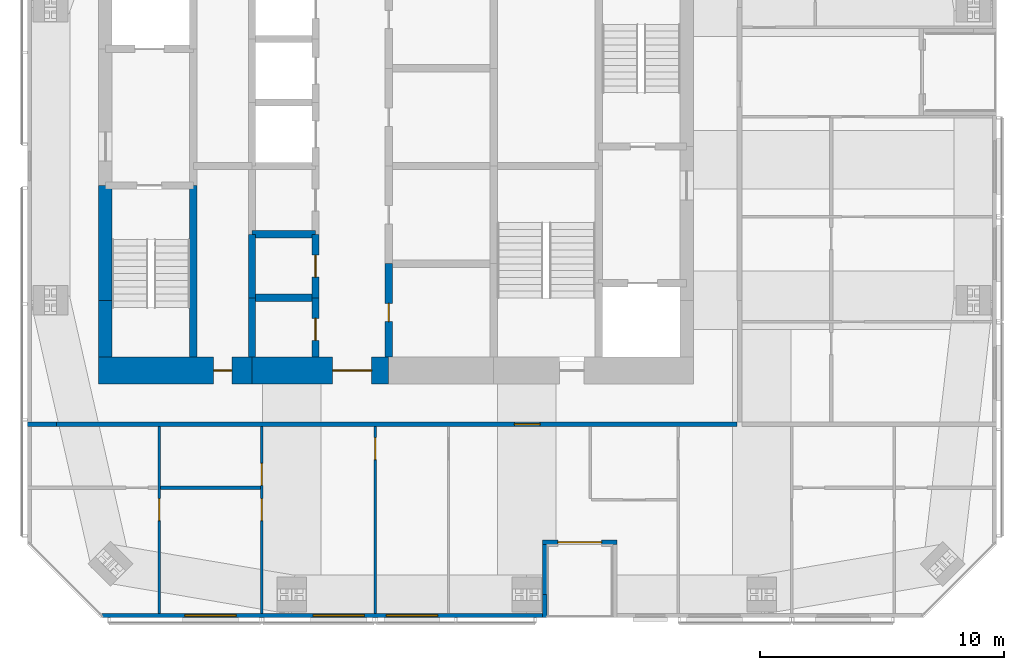
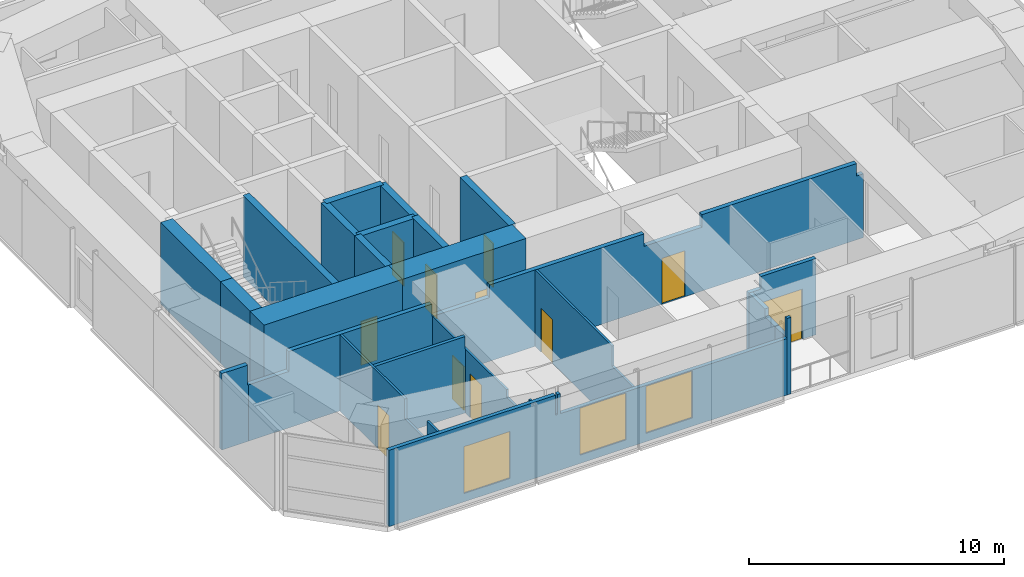
# One storey, part 14 of 20: 22 walls, 11 doors, 3 windows, 14 openings.
"""IFC4 building model written with IfcOpenShell, lengths in metres."""

from ifc_helpers import new_model, si_unit, direction, frame, frame_2d, origin, place, context, subcontext, project, spatial, polyline, rectangle, outline, extrude, material, layer, layer_set, constituent, constituent_set, type_object, element, fill, save


model = new_model("IFC4")

# Units and contexts
model_context = context("Model", 3, precision=1e-05, world=origin(), true_north=direction((0.0, 1.0)))
body_context = subcontext(model_context, "Body", "Model", "MODEL_VIEW")
ifc_project = project(units=[si_unit("LENGTHUNIT", "METRE"), si_unit("AREAUNIT", "SQUARE_METRE"), si_unit("VOLUMEUNIT", "CUBIC_METRE"), si_unit("PLANEANGLEUNIT", "RADIAN"), si_unit("MASSUNIT", "GRAM", prefix="KILO")], contexts=[model_context])

# Site, building, storey
site_placement = place(None, origin())
site = spatial("IfcSite", under=ifc_project, at=site_placement, CompositionType="ELEMENT")
building_placement = place(site_placement, origin())
building = spatial("IfcBuilding", under=site, at=building_placement, Name="Jalousie Tower", CompositionType="ELEMENT")
storey_placement = place(building_placement, frame((0.0, 0.0, 259.949951171875)))
storey = spatial("IfcBuildingStorey", under=building, at=storey_placement, Name="L71", CompositionType="ELEMENT", Elevation=259.949951171875)

# Wall
ifc_material_1 = material(Name="Concrete block ASTM C90", Category="concrete")
ifc_constituent_1 = constituent(ifc_material_1, Name="Body")
ifc_material_2 = material(Name="Render")
ifc_constituent_2 = constituent(ifc_material_2, Name="Finish")
ifc_constituent_set_1 = constituent_set(constituents=[ifc_constituent_1, ifc_constituent_2])
wall_type_1 = type_object("IfcWallType", Name="BATHROOM WALL 150", PredefinedType="PLUMBINGWALL", material=ifc_constituent_set_1)
wall_1_placement = place(storey_placement, frame((22.25, 5.324951171875, 0.0), z_axis=(0.0, 0.0, 1.0), x_axis=(1.0, 0.0, 0.0)))
element("IfcWall", 1, at=wall_1_placement, inside=storey, type_object=wall_type_1, Name="Bathroom Wall 150 L71", PredefinedType="PLUMBINGWALL", context=body_context, shape_type="SweptSolid", body=[
    extrude(outline(polyline([(0.0, 0.0), (4.10009765625, 0.0), (4.10009765625, 3.66015625), (4.10009765625, 3.06005859375), (4.090087890625, 3.06005859375), (4.090087890625, 3.66015625), (0.0, 3.66015625), (0.0, 0.0)])), frame((0.0, 0.074951171875, 0.0), z_axis=(0.0, -1.0, 0.0), x_axis=(1.0, 0.0, 0.0)), (0.0, 0.0, 1.0), 0.14990234375),
])

# Wall, opening, door
ifc_material_3 = material(Name="Concrete f'c 120 MPa", Category="concrete")
ifc_layer_1 = layer(ifc_material_3, 1.10009765625)
ifc_layer_set_1 = layer_set([ifc_layer_1], Name="Concrete f'c 120 MPa")
wall_type_2 = type_object("IfcWallType", Name="CORE WALL 1100", PredefinedType="SHEAR", material=ifc_layer_set_1)
wall_2_placement = place(storey_placement, frame((19.72509765625, 10.125, 0.0), z_axis=(0.0, 0.0, 1.0), x_axis=(1.0, 0.0, 0.0)))
wall_2 = element("IfcWall", 2, at=wall_2_placement, inside=storey, type_object=wall_type_2, Name="Core wall SA L71", PredefinedType="SHEAR", context=body_context, shape_type="SweptSolid", body=[
    extrude(rectangle(XDim=6.27490234375, YDim=1.10009765625, at=frame_2d((3.137451171875, 0.0))), origin(), (0.0, 0.0, 1.0), 3.900146484375),
])
opening_1_placement = place(wall_2_placement, frame((4.699951171875, 0.0, 0.0)))
opening_1 = element("IfcOpeningElement", 3, at=opening_1_placement, cuts=wall_2, Name="Opening D16", PredefinedType="OPENING", context=body_context, shape_type="SweptSolid", body=[
    extrude(rectangle(XDim=0.75, YDim=2.10009765625, at=frame_2d((0.375, 1.050048828125))), frame((0.0, 0.56005859375, 0.0), z_axis=(0.0, -1.0, 0.0), x_axis=(1.0, 0.0, 0.0)), (0.0, 0.0, 1.0), 1.1201171875),
])
ifc_material_4 = material(Name="Steel fire door", Category="steel")
door_type_1 = type_object("IfcDoorType", Name="RISER DOOR 750", OperationType="SINGLE_SWING_LEFT", PredefinedType="DOOR", material=ifc_material_4)
door_1_placement = place(opening_1_placement, origin())
door_1 = element("IfcDoor", 4, at=door_1_placement, inside=storey, type_object=door_type_1, Name="South riser door", OperationType="SINGLE_SWING_RIGHT", OverallHeight=2.10009765625, OverallWidth=0.75, PredefinedType="DOOR", context=body_context, shape_type="SweptSolid", body=[
    extrude(rectangle(XDim=0.75, YDim=2.10009765625, at=frame_2d((0.375, 1.050048828125))), frame((0.0, 0.02490234375, 0.0), z_axis=(0.0, -1.0, 0.0), x_axis=(1.0, 0.0, 0.0)), (0.0, 0.0, 1.0), 0.050048828125),
])
fill(opening_1, door_1)

wall_3_placement = place(storey_placement, frame((26.0, 10.125, 0.0), z_axis=(0.0, 0.0, 1.0), x_axis=(1.0, 0.0, 0.0)))
wall_3 = element("IfcWall", 5, at=wall_3_placement, inside=storey, type_object=wall_type_2, Name="Core wall SB L71", PredefinedType="SHEAR", context=body_context, shape_type="SweptSolid", body=[
    extrude(rectangle(XDim=5.60009765625, YDim=1.10009765625, at=frame_2d((2.800048828125, 0.0))), origin(), (0.0, 0.0, 1.0), 3.900146484375),
])
opening_2_placement = place(wall_3_placement, frame((3.300048828125, 0.0, 0.0)))
opening_2 = element("IfcOpeningElement", 6, at=opening_2_placement, cuts=wall_3, Name="Opening D15", PredefinedType="OPENING", context=body_context, shape_type="SweptSolid", body=[
    extrude(rectangle(XDim=1.60009765625, YDim=2.10009765625, at=frame_2d((0.800048828125, 1.050048828125))), frame((0.0, 0.56005859375, 0.0), z_axis=(0.0, -1.0, 0.0), x_axis=(1.0, 0.0, 0.0)), (0.0, 0.0, 1.0), 1.1201171875),
])
ifc_material_5 = material(Name="Steel fire door", Category="steel")
door_type_2 = type_object("IfcDoorType", Name="LIFT LOBBY DOOR 1600", OperationType="DOUBLE_DOOR_SINGLE_SWING", PredefinedType="DOOR", material=ifc_material_5)
door_2_placement = place(opening_2_placement, origin())
door_2 = element("IfcDoor", 7, at=door_2_placement, inside=storey, type_object=door_type_2, Name="Lift lobby south door", OperationType="DOUBLE_DOOR_SINGLE_SWING", OverallHeight=2.10009765625, OverallWidth=1.60009765625, PredefinedType="DOOR", context=body_context, shape_type="SweptSolid", body=[
    extrude(rectangle(XDim=1.60009765625, YDim=2.10009765625, at=frame_2d((0.800048828125, 1.050048828125))), frame((0.0, 0.02490234375, 0.0), z_axis=(0.0, -1.0, 0.0), x_axis=(1.0, 0.0, 0.0)), (0.0, 0.0, 1.0), 0.050048828125),
])
fill(opening_2, door_2)

# Walls
ifc_material_6 = material(Name="Concrete f'c 120 MPa", Category="concrete")
ifc_layer_2 = layer(ifc_material_6, 0.300048828125)
ifc_layer_set_2 = layer_set([ifc_layer_2], Name="Concrete f'c 120 MPa")
wall_type_3 = type_object("IfcWallType", Name="CORE WALL 300", PredefinedType="SHEAR", material=ifc_layer_set_2)
wall_4_placement = place(storey_placement, frame((23.60009765625, 10.675048828125, 0.0), z_axis=(0.0, 0.0, 1.0), x_axis=(0.0, 1.0, 0.0)))
element("IfcWall", 8, at=wall_4_placement, inside=storey, type_object=wall_type_3, Name="Core wall X23.6A L71", PredefinedType="SHEAR", context=body_context, shape_type="SweptSolid", body=[
    extrude(rectangle(XDim=7.02490234375, YDim=0.300048828125, at=frame_2d((3.512451171875, 0.0))), origin(), (0.0, 0.0, 1.0), 3.900146484375),
])
wall_5_placement = place(storey_placement, frame((26.0, 10.675048828125, 0.0), z_axis=(0.0, 0.0, 1.0), x_axis=(0.0, 1.0, 0.0)))
element("IfcWall", 9, at=wall_5_placement, inside=storey, type_object=wall_type_3, Name="Core wall X26A L71", PredefinedType="SHEAR", context=body_context, shape_type="SweptSolid", body=[
    extrude(rectangle(XDim=2.425048828125, YDim=0.300048828125, at=frame_2d((1.21240234375, 0.0))), origin(), (0.0, 0.0, 1.0), 3.900146484375),
])
wall_6_placement = place(storey_placement, frame((26.0, 13.10009765625, 0.0), z_axis=(0.0, 0.0, 1.0), x_axis=(0.0, 1.0, 0.0)))
element("IfcWall", 10, at=wall_6_placement, inside=storey, type_object=wall_type_3, Name="Core wall X26B L71", PredefinedType="SHEAR", context=body_context, shape_type="SweptSolid", body=[
    extrude(rectangle(XDim=2.599853515625, YDim=0.300048828125, at=frame_2d((1.2998046875, 0.0))), origin(), (0.0, 0.0, 1.0), 3.900146484375),
])

# Wall, opening, door
wall_7_placement = place(storey_placement, frame((28.60009765625, 10.675048828125, 0.0), z_axis=(0.0, 0.0, 1.0), x_axis=(0.0, 1.0, 0.0)))
wall_7 = element("IfcWall", 11, at=wall_7_placement, inside=storey, type_object=wall_type_3, Name="Core wall X28.6A L71", PredefinedType="SHEAR", context=body_context, shape_type="SweptSolid", body=[
    extrude(rectangle(XDim=2.425048828125, YDim=0.300048828125, at=frame_2d((1.21240234375, 0.0))), origin(), (0.0, 0.0, 1.0), 3.900146484375),
])
opening_3_placement = place(wall_7_placement, frame((0.6875, 0.0, 0.0)))
opening_3 = element("IfcOpeningElement", 12, at=opening_3_placement, cuts=wall_7, Name="Opening D24", PredefinedType="OPENING", context=body_context, shape_type="SweptSolid", body=[
    extrude(rectangle(XDim=0.89990234375, YDim=2.10009765625, at=frame_2d((0.449951171875, 1.050048828125))), frame((0.0, 0.159912109375, 0.0), z_axis=(0.0, -1.0, 0.0), x_axis=(1.0, 0.0, 0.0)), (0.0, 0.0, 1.0), 0.320068359375),
])
ifc_material_7 = material(Name="Steel fire door", Category="steel")
door_type_3 = type_object("IfcDoorType", Name="CORE ROOM DOOR 900", OperationType="SINGLE_SWING_LEFT", PredefinedType="DOOR", material=ifc_material_7)
door_3_placement = place(opening_3_placement, origin())
door_3 = element("IfcDoor", 13, at=door_3_placement, inside=storey, type_object=door_type_3, Name="Staff WC door", OperationType="SINGLE_SWING_RIGHT", OverallHeight=2.10009765625, OverallWidth=0.89990234375, PredefinedType="DOOR", context=body_context, shape_type="SweptSolid", body=[
    extrude(rectangle(XDim=0.89990234375, YDim=2.10009765625, at=frame_2d((0.449951171875, 1.050048828125))), frame((0.0, 0.02490234375, 0.0), z_axis=(0.0, -1.0, 0.0), x_axis=(1.0, 0.0, 0.0)), (0.0, 0.0, 1.0), 0.050048828125),
])
fill(opening_3, door_3)

wall_8_placement = place(storey_placement, frame((28.60009765625, 13.10009765625, 0.0), z_axis=(0.0, 0.0, 1.0), x_axis=(0.0, 1.0, 0.0)))
wall_8 = element("IfcWall", 14, at=wall_8_placement, inside=storey, type_object=wall_type_3, Name="Core wall X28.6B L71", PredefinedType="SHEAR", context=body_context, shape_type="SweptSolid", body=[
    extrude(rectangle(XDim=2.599853515625, YDim=0.300048828125, at=frame_2d((1.2998046875, 0.0))), origin(), (0.0, 0.0, 1.0), 3.900146484375),
])
opening_4_placement = place(wall_8_placement, frame((0.85009765625, 0.0, 0.0)))
opening_4 = element("IfcOpeningElement", 15, at=opening_4_placement, cuts=wall_8, Name="Opening D24", PredefinedType="OPENING", context=body_context, shape_type="SweptSolid", body=[
    extrude(rectangle(XDim=0.89990234375, YDim=2.10009765625, at=frame_2d((0.449951171875, 1.050048828125))), frame((0.0, 0.159912109375, 0.0), z_axis=(0.0, -1.0, 0.0), x_axis=(1.0, 0.0, 0.0)), (0.0, 0.0, 1.0), 0.320068359375),
])
door_4_placement = place(opening_4_placement, origin())
door_4 = element("IfcDoor", 16, at=door_4_placement, inside=storey, type_object=door_type_3, Name="IT room door", OperationType="SINGLE_SWING_RIGHT", OverallHeight=2.10009765625, OverallWidth=0.89990234375, PredefinedType="DOOR", context=body_context, shape_type="SweptSolid", body=[
    extrude(rectangle(XDim=0.89990234375, YDim=2.10009765625, at=frame_2d((0.449951171875, 1.050048828125))), frame((0.0, 0.02490234375, 0.0), z_axis=(0.0, -1.0, 0.0), x_axis=(1.0, 0.0, 0.0)), (0.0, 0.0, 1.0), 0.050048828125),
])
fill(opening_4, door_4)

wall_9_placement = place(storey_placement, frame((31.60009765625, 10.675048828125, 0.0), z_axis=(0.0, 0.0, 1.0), x_axis=(0.0, 1.0, 0.0)))
wall_9 = element("IfcWall", 17, at=wall_9_placement, inside=storey, type_object=wall_type_3, Name="Core wall X31.6A L71", PredefinedType="SHEAR", context=body_context, shape_type="SweptSolid", body=[
    extrude(rectangle(XDim=3.824951171875, YDim=0.300048828125, at=frame_2d((1.91259765625, 0.0))), origin(), (0.0, 0.0, 1.0), 3.900146484375),
])
opening_5_placement = place(wall_9_placement, frame((1.449951171875, 0.0, 0.0)))
opening_5 = element("IfcOpeningElement", 18, at=opening_5_placement, cuts=wall_9, Name="Opening D16", PredefinedType="OPENING", context=body_context, shape_type="SweptSolid", body=[
    extrude(rectangle(XDim=0.75, YDim=2.10009765625, at=frame_2d((0.375, 1.050048828125))), frame((0.0, 0.159912109375, 0.0), z_axis=(0.0, -1.0, 0.0), x_axis=(1.0, 0.0, 0.0)), (0.0, 0.0, 1.0), 0.320068359375),
])
door_5_placement = place(opening_5_placement, frame((0.75, 0.0, 0.0), z_axis=(0.0, 0.0, 1.0), x_axis=(-1.0, 0.0, 0.0)))
door_5 = element("IfcDoor", 19, at=door_5_placement, inside=storey, type_object=door_type_1, Name="Refuse Room door", OperationType="SINGLE_SWING_RIGHT", OverallHeight=2.10009765625, OverallWidth=0.75, PredefinedType="DOOR", context=body_context, shape_type="SweptSolid", body=[
    extrude(rectangle(XDim=0.75, YDim=2.10009765625, at=frame_2d((0.375, 1.050048828125))), frame((0.0, 0.02490234375, 0.0), z_axis=(0.0, -1.0, 0.0), x_axis=(1.0, 0.0, 0.0)), (0.0, 0.0, 1.0), 0.050048828125),
])
fill(opening_5, door_5)

# Walls
for number, where, z_axis, x_axis, name in (
    (20, (26.0, 13.10009765625, 0.0), (0.0, 0.0, 1.0), (1.0, 0.0, 0.0), "Core wall Y26-13.1 L71"),
    (21, (26.0, 15.699951171875, 0.0), (0.0, 0.0, 1.0), (1.0, 0.0, 0.0), "Core wall Y26-15.7 L71"),
):
    element("IfcWall", number, at=place(storey_placement, frame(where, z_axis=z_axis, x_axis=x_axis)), inside=storey, type_object=wall_type_3, Name=name, PredefinedType="SHEAR", context=body_context, shape_type="SweptSolid", body=[
        extrude(rectangle(XDim=2.60009765625, YDim=0.300048828125, at=frame_2d((1.300048828125, 0.0))), origin(), (0.0, 0.0, 1.0), 3.900146484375),
    ])
ifc_material_8 = material(Name="Concrete f'c 120 MPa", Category="concrete")
ifc_layer_3 = layer(ifc_material_8, 0.550048828125)
ifc_layer_set_3 = layer_set([ifc_layer_3], Name="Concrete f'c 120 MPa")
wall_type_4 = type_object("IfcWallType", Name="CORE WALL 550", PredefinedType="SHEAR", material=ifc_layer_set_3)
wall_10_placement = place(storey_placement, frame((20.0, 17.699951171875, 0.0), z_axis=(0.0, 0.0, 1.0), x_axis=(0.0, -1.0, 0.0)))
element("IfcWall", 22, at=wall_10_placement, inside=storey, type_object=wall_type_4, Name="Core wall WC L71", PredefinedType="SHEAR", context=body_context, shape_type="SweptSolid", body=[
    extrude(rectangle(XDim=4.699951171875, YDim=0.550048828125, at=frame_2d((2.35009765625, 0.0))), origin(), (0.0, 0.0, 1.0), 3.900146484375),
])
wall_11_placement = place(storey_placement, frame((20.0, 13.0, 0.0), z_axis=(0.0, 0.0, 1.0), x_axis=(0.0, -1.0, 0.0)))
element("IfcWall", 23, at=wall_11_placement, inside=storey, type_object=wall_type_4, Name="Core wall WD L71", PredefinedType="SHEAR", context=body_context, shape_type="SweptSolid", body=[
    extrude(rectangle(XDim=2.324951171875, YDim=0.550048828125, at=frame_2d((1.16259765625, 0.0))), origin(), (0.0, 0.0, 1.0), 3.900146484375),
])

# Wall, opening, door
ifc_material_9 = material(Name="Concrete block ASTM C90", Category="concrete")
ifc_constituent_3 = constituent(ifc_material_9, Name="Body")
ifc_material_10 = material(Name="Render")
ifc_constituent_4 = constituent(ifc_material_10, Name="Finish")
ifc_constituent_set_2 = constituent_set(constituents=[ifc_constituent_3, ifc_constituent_4])
wall_type_5 = type_object("IfcWallType", Name="CORRIDOR WALL 200", PredefinedType="PARTITIONING", material=ifc_constituent_set_2)
wall_12_placement = place(storey_placement, frame((18.0, 7.925048828125, 0.0), z_axis=(0.0, 0.0, 1.0), x_axis=(1.0, 0.0, 0.0)))
wall_12 = element("IfcWall", 24, at=wall_12_placement, inside=storey, type_object=wall_type_5, Name="Corridor Wall 200 L71", PredefinedType="PARTITIONING", context=body_context, shape_type="SweptSolid", body=[
    extrude(outline(polyline([(0.0, 0.0), (27.875, 0.0), (27.875, 3.66015625), (27.875, 3.06005859375), (27.56494140625, 3.06005859375), (27.56494140625, 3.66015625), (20.56005859375, 3.66015625), (20.56005859375, 3.06005859375), (17.93994140625, 3.06005859375), (17.93994140625, 3.66015625), (10.93505859375, 3.66015625), (10.93505859375, 3.06005859375), (8.31494140625, 3.06005859375), (8.31494140625, 3.66015625), (1.838623046875, 3.66015625), (1.838623046875, 2.699951171875), (0.0, 2.699951171875), (0.0, 3.66015625), (0.0, 0.0)])), frame((0.0, 0.10009765625, 0.0), z_axis=(0.0, -1.0, 0.0), x_axis=(1.0, 0.0, 0.0)), (0.0, 0.0, 1.0), 0.199951171875),
])
opening_6_placement = place(wall_12_placement, frame((18.75, 0.0, 0.0)))
opening_6 = element("IfcOpeningElement", 25, at=opening_6_placement, cuts=wall_12, Name="Opening D1", PredefinedType="OPENING", context=body_context, shape_type="SweptSolid", body=[
    extrude(rectangle(XDim=1.050048828125, YDim=2.199951171875, at=frame_2d((0.52490234375, 1.10009765625))), frame((0.0, 0.10986328125, 0.0), z_axis=(0.0, -1.0, 0.0), x_axis=(1.0, 0.0, 0.0)), (0.0, 0.0, 1.0), 0.219970703125),
])
ifc_material_11 = material(Name="Timber fire door", Category="wood")
door_type_4 = type_object("IfcDoorType", Name="APARTMENT ENTRANCE DOOR 1050", OperationType="SINGLE_SWING_LEFT", PredefinedType="DOOR", material=ifc_material_11)
door_6_placement = place(opening_6_placement, frame((1.050048828125, 0.0, 0.0), z_axis=(0.0, 0.0, 1.0), x_axis=(-1.0, 0.0, 0.0)))
door_6 = element("IfcDoor", 26, at=door_6_placement, inside=storey, type_object=door_type_4, Name="Apartment 7101 entrance", OperationType="SINGLE_SWING_LEFT", OverallHeight=2.199951171875, OverallWidth=1.050048828125, PredefinedType="DOOR", context=body_context, shape_type="SweptSolid", body=[
    extrude(rectangle(XDim=1.050048828125, YDim=2.199951171875, at=frame_2d((0.52490234375, 1.10009765625))), frame((0.0, 0.02490234375, 0.0), z_axis=(0.0, -1.0, 0.0), x_axis=(1.0, 0.0, 0.0)), (0.0, 0.0, 1.0), 0.050048828125),
])
fill(opening_6, door_6)

# Wall, openings, windows
ifc_material_12 = material(Name="Concrete f'c 40 MPa", Category="concrete")
ifc_constituent_5 = constituent(ifc_material_12, Name="Body")
ifc_material_13 = material(Name="Render, pastel sky blue")
ifc_constituent_6 = constituent(ifc_material_13, Name="Finish")
ifc_constituent_set_3 = constituent_set(constituents=[ifc_constituent_5, ifc_constituent_6])
wall_type_6 = type_object("IfcWallType", Name="EXTERNAL WALL 175 SKY BLUE RENDER", PredefinedType="SOLIDWALL", material=ifc_constituent_set_3)
wall_13_placement = place(storey_placement, frame((19.851318359375, 0.08740234375, 0.0), z_axis=(0.0, 0.0, 1.0), x_axis=(1.0, 0.0, 0.0)))
wall_13 = element("IfcWall", 27, at=wall_13_placement, inside=storey, type_object=wall_type_6, Name="External Wall 175 Sky Blue Render L71", PredefinedType="SOLIDWALL", context=body_context, shape_type="SweptSolid", body=[
    extrude(outline(polyline([(0.0, 0.0), (18.048583984375, 0.0), (18.048583984375, 2.699951171875), (7.773681640625, 2.699951171875), (7.773681640625, 3.66015625), (7.642333984375, 3.66015625), (7.642333984375, 2.699951171875), (7.558837890625, 2.699951171875), (7.558837890625, 3.66015625), (0.0, 3.66015625), (0.0, 0.0)])), frame((0.0, 0.08740234375, 0.0), z_axis=(0.0, -1.0, 0.0), x_axis=(1.0, 0.0, 0.0)), (0.0, 0.0, 1.0), 0.175048828125),
])
opening_7_placement = place(wall_13_placement, frame((3.398681640625, 0.0, 0.39990234375)))
opening_7 = element("IfcOpeningElement", 28, at=opening_7_placement, cuts=wall_13, Name="Opening W-BEDPH225", PredefinedType="OPENING", context=body_context, shape_type="SweptSolid", body=[
    extrude(rectangle(XDim=2.10009765625, YDim=2.25, at=frame_2d((1.050048828125, 1.125))), frame((0.0, 0.097412109375, 0.0), z_axis=(0.0, -1.0, 0.0), x_axis=(1.0, 0.0, 0.0)), (0.0, 0.0, 1.0), 0.195068359375),
])
opening_8_placement = place(wall_13_placement, frame((8.655029296875, 0.0, 0.39990234375)))
opening_8 = element("IfcOpeningElement", 29, at=opening_8_placement, cuts=wall_13, Name="Opening W-BEDPH225", PredefinedType="OPENING", context=body_context, shape_type="SweptSolid", body=[
    extrude(rectangle(XDim=2.10009765625, YDim=2.25, at=frame_2d((1.050048828125, 1.125))), frame((0.0, 0.097412109375, 0.0), z_axis=(0.0, -1.0, 0.0), x_axis=(1.0, 0.0, 0.0)), (0.0, 0.0, 1.0), 0.195068359375),
])
opening_9_placement = place(wall_13_placement, frame((11.648681640625, 0.0, 0.39990234375)))
opening_9 = element("IfcOpeningElement", 30, at=opening_9_placement, cuts=wall_13, Name="Opening W-BEDPH225", PredefinedType="OPENING", context=body_context, shape_type="SweptSolid", body=[
    extrude(rectangle(XDim=2.10009765625, YDim=2.25, at=frame_2d((1.050048828125, 1.125))), frame((0.0, 0.097412109375, 0.0), z_axis=(0.0, -1.0, 0.0), x_axis=(1.0, 0.0, 0.0)), (0.0, 0.0, 1.0), 0.195068359375),
])
ifc_material_14 = material(Name="Aluminium frame, impact-rated glazing", Category="aluminium")
window_type = type_object("IfcWindowType", Name="WINDOW BEDPH 2100x2250", PartitioningType="DOUBLE_PANEL_VERTICAL", PredefinedType="WINDOW", material=ifc_material_14)
window_1_placement = place(opening_7_placement, origin())
window_1 = element("IfcWindow", 31, at=window_1_placement, inside=storey, type_object=window_type, Name="Apartment 7101 bedroom 2 window", OverallHeight=2.25, OverallWidth=2.10009765625, PartitioningType="SINGLE_PANEL", PredefinedType="WINDOW", context=body_context, shape_type="SweptSolid", body=[
    extrude(rectangle(XDim=2.10009765625, YDim=2.25, at=frame_2d((1.050048828125, 1.125))), frame((0.0, 0.030029296875, 0.0), z_axis=(0.0, -1.0, 0.0), x_axis=(1.0, 0.0, 0.0)), (0.0, 0.0, 1.0), 0.06005859375),
])
fill(opening_7, window_1)
window_2_placement = place(opening_8_placement, origin())
window_2 = element("IfcWindow", 32, at=window_2_placement, inside=storey, type_object=window_type, Name="Apartment 7101 study window", OverallHeight=2.25, OverallWidth=2.10009765625, PartitioningType="SINGLE_PANEL", PredefinedType="WINDOW", context=body_context, shape_type="SweptSolid", body=[
    extrude(rectangle(XDim=2.10009765625, YDim=2.25, at=frame_2d((1.050048828125, 1.125))), frame((0.0, 0.030029296875, 0.0), z_axis=(0.0, -1.0, 0.0), x_axis=(1.0, 0.0, 0.0)), (0.0, 0.0, 1.0), 0.06005859375),
])
fill(opening_8, window_2)
window_3_placement = place(opening_9_placement, origin())
window_3 = element("IfcWindow", 33, at=window_3_placement, inside=storey, type_object=window_type, Name="Apartment 7101 home office window", OverallHeight=2.25, OverallWidth=2.10009765625, PartitioningType="SINGLE_PANEL", PredefinedType="WINDOW", context=body_context, shape_type="SweptSolid", body=[
    extrude(rectangle(XDim=2.10009765625, YDim=2.25, at=frame_2d((1.050048828125, 1.125))), frame((0.0, 0.030029296875, 0.0), z_axis=(0.0, -1.0, 0.0), x_axis=(1.0, 0.0, 0.0)), (0.0, 0.0, 1.0), 0.06005859375),
])
fill(opening_9, window_3)

# Wall, opening, door
wall_14_placement = place(storey_placement, frame((37.89990234375, 3.08740234375, 0.0), z_axis=(0.0, 0.0, 1.0), x_axis=(1.0, 0.0, 0.0)))
wall_14 = element("IfcWall", 34, at=wall_14_placement, inside=storey, type_object=wall_type_6, Name="External Wall 175 Sky Blue Render L71", PredefinedType="SOLIDWALL", context=body_context, shape_type="SweptSolid", body=[
    extrude(outline(polyline([(0.0, 0.0), (3.050048828125, 0.0), (3.050048828125, 3.66015625), (0.550048828125, 3.66015625), (0.550048828125, 3.06005859375), (0.0, 3.06005859375), (0.0, 0.0)])), frame((0.0, 0.08740234375, 0.0), z_axis=(0.0, -1.0, 0.0), x_axis=(1.0, 0.0, 0.0)), (0.0, 0.0, 1.0), 0.175048828125),
])
opening_10_placement = place(wall_14_placement, frame((0.625, 0.0, 0.0)))
opening_10 = element("IfcOpeningElement", 35, at=opening_10_placement, cuts=wall_14, Name="Opening D-BAL", PredefinedType="OPENING", context=body_context, shape_type="SweptSolid", body=[
    extrude(rectangle(XDim=1.800048828125, YDim=2.39990234375, at=frame_2d((0.89990234375, 1.199951171875))), frame((0.0, 0.097412109375, 0.0), z_axis=(0.0, -1.0, 0.0), x_axis=(1.0, 0.0, 0.0)), (0.0, 0.0, 1.0), 0.195068359375),
])
ifc_material_15 = material(Name="Aluminium frame, impact-rated glazing", Category="aluminium")
door_type_5 = type_object("IfcDoorType", Name="BALCONY DOOR 1800x2400", OperationType="SLIDING_TO_LEFT", PredefinedType="DOOR", material=ifc_material_15)
door_7_placement = place(opening_10_placement, origin())
door_7 = element("IfcDoor", 36, at=door_7_placement, inside=storey, type_object=door_type_5, Name="Apartment 7101 living and dining room loggia door", OperationType="SLIDING_TO_LEFT", OverallHeight=2.39990234375, OverallWidth=1.800048828125, PredefinedType="DOOR", context=body_context, shape_type="SweptSolid", body=[
    extrude(rectangle(XDim=1.800048828125, YDim=2.39990234375, at=frame_2d((0.89990234375, 1.199951171875))), frame((0.0, 0.02490234375, 0.0), z_axis=(0.0, -1.0, 0.0), x_axis=(1.0, 0.0, 0.0)), (0.0, 0.0, 1.0), 0.050048828125),
])
fill(opening_10, door_7)

# Walls
wall_15_placement = place(storey_placement, frame((37.987548828125, 0.0, 0.0), z_axis=(0.0, 0.0, 1.0), x_axis=(0.0, 1.0, 0.0)))
element("IfcWall", 37, at=wall_15_placement, inside=storey, type_object=wall_type_6, Name="External Wall 175 Sky Blue Render L71-A", PredefinedType="SOLIDWALL", context=body_context, shape_type="SweptSolid", body=[
    extrude(outline(polyline([(0.0, 0.0), (0.949951171875, 0.0), (0.949951171875, 2.699951171875), (0.14990234375, 2.699951171875), (0.14990234375, 3.66015625), (0.0, 3.66015625), (0.0, 0.0)])), frame((0.0, 0.08740234375, 0.0), z_axis=(0.0, -1.0, 0.0), x_axis=(1.0, 0.0, 0.0)), (0.0, 0.0, 1.0), 0.175048828125),
])
wall_16_placement = place(storey_placement, frame((37.987548828125, 0.949951171875, 0.0), z_axis=(0.0, 0.0, 1.0), x_axis=(0.0, 1.0, 0.0)))
element("IfcWall", 38, at=wall_16_placement, inside=storey, type_object=wall_type_6, Name="External Wall 175 Sky Blue Render L71-B", PredefinedType="SOLIDWALL", context=body_context, shape_type="SweptSolid", body=[
    extrude(outline(polyline([(0.0, 0.0), (2.050048828125, 0.0), (2.050048828125, 3.06005859375), (0.800048828125, 3.06005859375), (0.800048828125, 2.699951171875), (0.0, 2.699951171875), (0.0, 0.0)])), frame((0.0, 0.08740234375, 0.0), z_axis=(0.0, -1.0, 0.0), x_axis=(1.0, 0.0, 0.0)), (0.0, 0.0, 1.0), 0.175048828125),
])

# Wall, opening, door
ifc_material_16 = material(Name="Gypsum board", Category="gypsum")
ifc_constituent_7 = constituent(ifc_material_16, Name="Body")
ifc_material_17 = material(Name="Light-gauge steel studs ASTM A653 SS Grade 33", Category="steel")
ifc_constituent_8 = constituent(ifc_material_17, Name="Framing")
ifc_constituent_set_4 = constituent_set(constituents=[ifc_constituent_7, ifc_constituent_8])
wall_type_7 = type_object("IfcWallType", Name="PARTITION 100", PredefinedType="PARTITIONING", material=ifc_constituent_set_4)
wall_17_placement = place(storey_placement, frame((22.199951171875, 0.175048828125, 0.0), z_axis=(0.0, 0.0, 1.0), x_axis=(0.0, 1.0, 0.0)))
wall_17 = element("IfcWall", 39, at=wall_17_placement, inside=storey, type_object=wall_type_7, Name="Partition 100 L71", PredefinedType="PARTITIONING", context=body_context, shape_type="SweptSolid", body=[
    extrude(outline(polyline([(0.0, 0.0), (7.64990234375, 0.0), (7.64990234375, 3.66015625), (2.566650390625, 3.66015625), (2.566650390625, 2.699951171875), (0.822021484375, 2.699951171875), (0.822021484375, 3.66015625), (0.0, 3.66015625), (0.0, 0.0)])), frame((0.0, 0.050048828125, 0.0), z_axis=(0.0, -1.0, 0.0), x_axis=(1.0, 0.0, 0.0)), (0.0, 0.0, 1.0), 0.10009765625),
])
opening_11_placement = place(wall_17_placement, frame((3.800048828125, 0.0, 0.0)))
opening_11 = element("IfcOpeningElement", 40, at=opening_11_placement, cuts=wall_17, Name="Opening D2", PredefinedType="OPENING", context=body_context, shape_type="SweptSolid", body=[
    extrude(rectangle(XDim=0.89990234375, YDim=2.10009765625, at=frame_2d((0.449951171875, 1.050048828125))), frame((0.0, 0.06005859375, 0.0), z_axis=(0.0, -1.0, 0.0), x_axis=(1.0, 0.0, 0.0)), (0.0, 0.0, 1.0), 0.1201171875),
])
ifc_material_18 = material(Name="Timber door", Category="wood")
door_type_6 = type_object("IfcDoorType", Name="BEDROOM DOOR 900", OperationType="SINGLE_SWING_LEFT", PredefinedType="DOOR", material=ifc_material_18)
door_8_placement = place(opening_11_placement, origin())
door_8 = element("IfcDoor", 41, at=door_8_placement, inside=storey, type_object=door_type_6, Name="Apartment 7101 bedroom 1 door", OperationType="SINGLE_SWING_RIGHT", OverallHeight=2.10009765625, OverallWidth=0.89990234375, PredefinedType="DOOR", context=body_context, shape_type="SweptSolid", body=[
    extrude(rectangle(XDim=0.89990234375, YDim=2.10009765625, at=frame_2d((0.449951171875, 1.050048828125))), frame((0.0, 0.02490234375, 0.0), z_axis=(0.0, -1.0, 0.0), x_axis=(1.0, 0.0, 0.0)), (0.0, 0.0, 1.0), 0.050048828125),
])
fill(opening_11, door_8)

# Wall, openings, doors
wall_18_placement = place(storey_placement, frame((26.39990234375, 0.175048828125, 0.0), z_axis=(0.0, 0.0, 1.0), x_axis=(0.0, 1.0, 0.0)))
wall_18 = element("IfcWall", 42, at=wall_18_placement, inside=storey, type_object=wall_type_7, Name="Partition 100 L71", PredefinedType="PARTITIONING", context=body_context, shape_type="SweptSolid", body=[
    extrude(outline(polyline([(0.0, 0.0), (7.64990234375, 0.0), (7.64990234375, 3.66015625), (7.64990234375, 3.06005859375), (1.85498046875, 3.06005859375), (1.85498046875, 2.699951171875), (0.1103515625, 2.699951171875), (0.1103515625, 3.66015625), (0.0, 3.66015625), (0.0, 0.0)])), frame((0.0, 0.050048828125, 0.0), z_axis=(0.0, -1.0, 0.0), x_axis=(1.0, 0.0, 0.0)), (0.0, 0.0, 1.0), 0.10009765625),
])
opening_12_placement = place(wall_18_placement, frame((3.800048828125, 0.0, 0.0)))
opening_12 = element("IfcOpeningElement", 43, at=opening_12_placement, cuts=wall_18, Name="Opening D2", PredefinedType="OPENING", context=body_context, shape_type="SweptSolid", body=[
    extrude(rectangle(XDim=0.89990234375, YDim=2.10009765625, at=frame_2d((0.449951171875, 1.050048828125))), frame((0.0, 0.06005859375, 0.0), z_axis=(0.0, -1.0, 0.0), x_axis=(1.0, 0.0, 0.0)), (0.0, 0.0, 1.0), 0.1201171875),
])
opening_13_placement = place(wall_18_placement, frame((5.25, 0.0, 0.0)))
opening_13 = element("IfcOpeningElement", 44, at=opening_13_placement, cuts=wall_18, Name="Opening D7", PredefinedType="OPENING", context=body_context, shape_type="SweptSolid", body=[
    extrude(rectangle(XDim=0.89990234375, YDim=2.10009765625, at=frame_2d((0.449951171875, 1.050048828125))), frame((0.0, 0.06005859375, 0.0), z_axis=(0.0, -1.0, 0.0), x_axis=(1.0, 0.0, 0.0)), (0.0, 0.0, 1.0), 0.1201171875),
])
door_9_placement = place(opening_12_placement, frame((0.89990234375, 0.0, 0.0), z_axis=(0.0, 0.0, 1.0), x_axis=(-1.0, 0.0, 0.0)))
door_9 = element("IfcDoor", 45, at=door_9_placement, inside=storey, type_object=door_type_6, Name="Apartment 7101 bedroom 2 door", OperationType="SINGLE_SWING_LEFT", OverallHeight=2.10009765625, OverallWidth=0.89990234375, PredefinedType="DOOR", context=body_context, shape_type="SweptSolid", body=[
    extrude(rectangle(XDim=0.89990234375, YDim=2.10009765625, at=frame_2d((0.449951171875, 1.050048828125))), frame((0.0, 0.02490234375, 0.0), z_axis=(0.0, -1.0, 0.0), x_axis=(1.0, 0.0, 0.0)), (0.0, 0.0, 1.0), 0.050048828125),
])
fill(opening_12, door_9)
ifc_material_19 = material(Name="Timber door", Category="wood")
door_type_7 = type_object("IfcDoorType", Name="INTERNAL DOOR 900", OperationType="SINGLE_SWING_LEFT", PredefinedType="DOOR", material=ifc_material_19)
door_10_placement = place(opening_13_placement, origin())
door_10 = element("IfcDoor", 46, at=door_10_placement, inside=storey, type_object=door_type_7, Name="Apartment 7101 bathroom door", OperationType="SINGLE_SWING_LEFT", OverallHeight=2.10009765625, OverallWidth=0.89990234375, PredefinedType="DOOR", context=body_context, shape_type="SweptSolid", body=[
    extrude(rectangle(XDim=0.89990234375, YDim=2.10009765625, at=frame_2d((0.449951171875, 1.050048828125))), frame((0.0, 0.02490234375, 0.0), z_axis=(0.0, -1.0, 0.0), x_axis=(1.0, 0.0, 0.0)), (0.0, 0.0, 1.0), 0.050048828125),
])
fill(opening_13, door_10)

# Wall, opening, door
wall_19_placement = place(storey_placement, frame((31.050048828125, 0.175048828125, 0.0), z_axis=(0.0, 0.0, 1.0), x_axis=(0.0, 1.0, 0.0)))
wall_19 = element("IfcWall", 47, at=wall_19_placement, inside=storey, type_object=wall_type_7, Name="Partition 100 L71", PredefinedType="PARTITIONING", context=body_context, shape_type="SweptSolid", body=[
    extrude(outline(polyline([(0.0, 0.0), (7.64990234375, 0.0), (7.64990234375, 3.66015625), (1.635009765625, 3.66015625), (1.635009765625, 2.699951171875), (0.0, 2.699951171875), (0.0, 3.66015625), (0.0, 0.0)])), frame((0.0, 0.050048828125, 0.0), z_axis=(0.0, -1.0, 0.0), x_axis=(1.0, 0.0, 0.0)), (0.0, 0.0, 1.0), 0.10009765625),
])
opening_14_placement = place(wall_19_placement, frame((6.300048828125, 0.0, 0.0)))
opening_14 = element("IfcOpeningElement", 48, at=opening_14_placement, cuts=wall_19, Name="Opening D2", PredefinedType="OPENING", context=body_context, shape_type="SweptSolid", body=[
    extrude(rectangle(XDim=0.89990234375, YDim=2.10009765625, at=frame_2d((0.449951171875, 1.050048828125))), frame((0.0, 0.06005859375, 0.0), z_axis=(0.0, -1.0, 0.0), x_axis=(1.0, 0.0, 0.0)), (0.0, 0.0, 1.0), 0.1201171875),
])
door_11_placement = place(opening_14_placement, origin())
door_11 = element("IfcDoor", 49, at=door_11_placement, inside=storey, type_object=door_type_6, Name="Apartment 7101 study door", OperationType="SINGLE_SWING_RIGHT", OverallHeight=2.10009765625, OverallWidth=0.89990234375, PredefinedType="DOOR", context=body_context, shape_type="SweptSolid", body=[
    extrude(rectangle(XDim=0.89990234375, YDim=2.10009765625, at=frame_2d((0.449951171875, 1.050048828125))), frame((0.0, 0.02490234375, 0.0), z_axis=(0.0, -1.0, 0.0), x_axis=(1.0, 0.0, 0.0)), (0.0, 0.0, 1.0), 0.050048828125),
])
fill(opening_14, door_11)

# Wall
ifc_material_20 = material(Name="Concrete block ASTM C90", Category="concrete")
ifc_constituent_9 = constituent(ifc_material_20, Name="Body")
ifc_material_21 = material(Name="Render")
ifc_constituent_10 = constituent(ifc_material_21, Name="Finish")
ifc_constituent_set_5 = constituent_set(constituents=[ifc_constituent_9, ifc_constituent_10])
wall_type_8 = type_object("IfcWallType", Name="PARTY WALL 200", PredefinedType="PARTITIONING", material=ifc_constituent_set_5)
wall_20_placement = place(storey_placement, frame((16.800048828125, 7.925048828125, 0.0), z_axis=(0.0, 0.0, 1.0), x_axis=(1.0, 0.0, 0.0)))
element("IfcWall", 50, at=wall_20_placement, inside=storey, type_object=wall_type_8, Name="Party Wall 200 L71", PredefinedType="PARTITIONING", context=body_context, shape_type="SweptSolid", body=[
    extrude(outline(polyline([(0.0, 0.0), (1.199951171875, 0.0), (1.199951171875, 3.66015625), (1.199951171875, 2.699951171875), (1.172119140625, 2.699951171875), (1.172119140625, 3.66015625), (0.0, 3.66015625), (0.0, 0.0)])), frame((0.0, 0.10009765625, 0.0), z_axis=(0.0, -1.0, 0.0), x_axis=(1.0, 0.0, 0.0)), (0.0, 0.0, 1.0), 0.199951171875),
])

save(model, "model.ifc")
